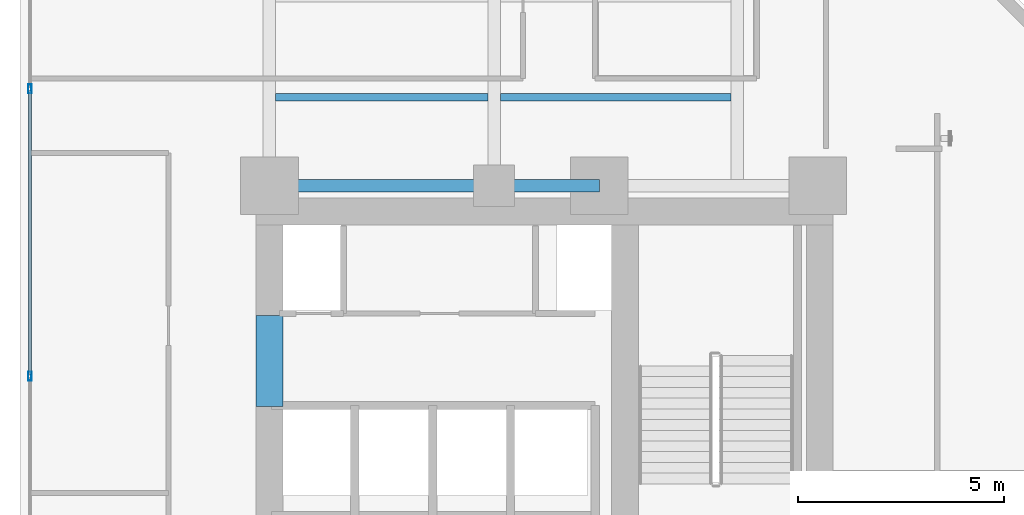
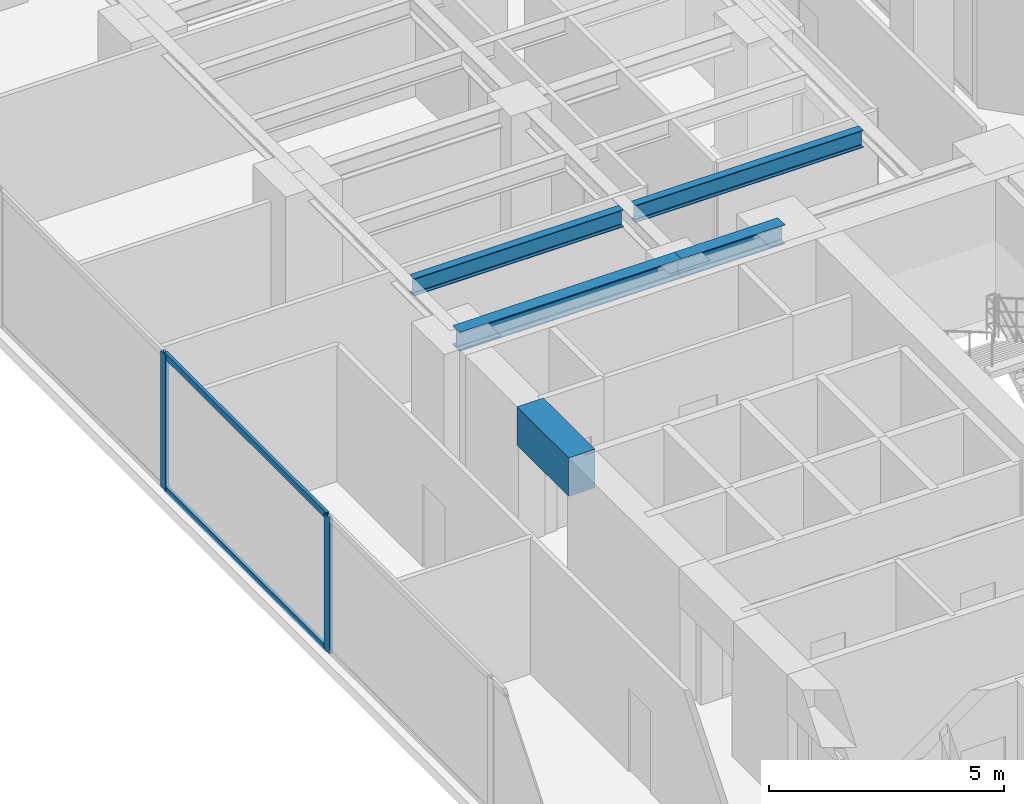
# One storey, part 6 of 26: 5 beams, 4 members, 1 element without a shape of its own.
"""IFC4 building model written with IfcOpenShell, lengths in metres."""

from ifc_helpers import new_model, si_unit, direction, frame, origin, origin_with_axes, origin_2d, place, context, subcontext, project, spatial, rectangle, hollow_rectangle, i_section, extrude, source, transform, mapped, material, layer, layer_set, material_profile, profile_set, type_object, element, aggregate, save


model = new_model("IFC4")

# Units and contexts
model_context = context("Model", 3, precision=1e-05, world=origin(), true_north=direction((0.0, 1.0)))
body_context = subcontext(model_context, "Body", "Model", "MODEL_VIEW")
ifc_project = project(units=[si_unit("LENGTHUNIT", "METRE"), si_unit("AREAUNIT", "SQUARE_METRE"), si_unit("VOLUMEUNIT", "CUBIC_METRE"), si_unit("PLANEANGLEUNIT", "RADIAN"), si_unit("MASSUNIT", "GRAM", prefix="KILO")], contexts=[model_context])

# Site, building, storey
site_placement = place(None, origin())
site = spatial("IfcSite", under=ifc_project, at=site_placement, CompositionType="ELEMENT")
building_placement = place(site_placement, origin())
building = spatial("IfcBuilding", under=site, at=building_placement, Name="Kolvaren Waterfront Exchange", CompositionType="ELEMENT")
storey_placement = place(building_placement, frame((0.0, 0.0, 125.89990234375)))
storey = spatial("IfcBuildingStorey", under=building, at=storey_placement, Name="L32", CompositionType="ELEMENT", Elevation=125.89990234375)

# Beams
ifc_material_1 = material(Name="Steel S355", Category="steel")
ifc_material_profile_1 = material_profile(ifc_material_1, i_section(OverallWidth=0.300048828125, OverallDepth=0.5, WebThickness=0.014404296875, FlangeThickness=0.028076171875, FilletRadius=0.027099609375, at=origin_2d()), Name="HEB500")
ifc_profile_set_1 = profile_set([ifc_material_profile_1], Name="Steel S355")
beam_type_1 = type_object("IfcBeamType", Name="STR-BM-HEB500", PredefinedType="BEAM", material=ifc_profile_set_1)
beam_1_placement = place(storey_placement, frame((7.449951171875, 24.449951171875, 3.2900390625), z_axis=(1.0, 0.0, 0.0), x_axis=(0.0, 1.0, 0.0)))
element("IfcBeam", 1, at=beam_1_placement, inside=storey, type_object=beam_type_1, Name="L32 north-arm girder 1A", PredefinedType="BEAM", context=body_context, shape_type="SweptSolid", body=[
    extrude(i_section(OverallWidth=0.300048828125, OverallDepth=0.5, WebThickness=0.014404296875, FlangeThickness=0.028076171875, FilletRadius=0.027099609375, at=origin_2d()), origin(), (0.0, 0.0, 1.0), 5.449951171875),
])
beam_2_placement = place(storey_placement, frame((12.89990234375, 24.449951171875, 3.2900390625), z_axis=(1.0, 0.0, 0.0), x_axis=(0.0, 1.0, 0.0)))
element("IfcBeam", 2, at=beam_2_placement, inside=storey, type_object=beam_type_1, Name="L32 north-arm girder 1B", PredefinedType="BEAM", context=body_context, shape_type="SweptSolid", body=[
    extrude(i_section(OverallWidth=0.300048828125, OverallDepth=0.5, WebThickness=0.014404296875, FlangeThickness=0.028076171875, FilletRadius=0.027099609375, at=origin_2d()), origin(), (0.0, 0.0, 1.0), 2.550048828125),
])
ifc_material_profile_2 = material_profile(ifc_material_1, i_section(OverallWidth=0.18994140625, OverallDepth=0.449951171875, WebThickness=0.009521484375, FlangeThickness=0.0146484375, FilletRadius=0.02099609375, at=origin_2d()), Name="IPE450")
ifc_profile_set_2 = profile_set([ifc_material_profile_2], Name="Steel S355")
beam_type_2 = type_object("IfcBeamType", Name="STR-BM-IPE450", PredefinedType="JOIST", material=ifc_profile_set_2)
beam_3_placement = place(storey_placement, frame((7.60205078125, 26.60009765625, 3.315185546875), z_axis=(1.0, 0.0, 0.0), x_axis=(0.0, 1.0, 0.0)))
element("IfcBeam", 3, at=beam_3_placement, inside=storey, type_object=beam_type_2, Name="L32 north-arm composite joist 1A", PredefinedType="JOIST", context=body_context, shape_type="SweptSolid", body=[
    extrude(i_section(OverallWidth=0.18994140625, OverallDepth=0.449951171875, WebThickness=0.009521484375, FlangeThickness=0.0146484375, FilletRadius=0.02099609375, at=origin_2d()), origin(), (0.0, 0.0, 1.0), 5.14599609375),
])
beam_4_placement = place(storey_placement, frame((13.052001953125, 26.60009765625, 3.315185546875), z_axis=(1.0, 0.0, 0.0), x_axis=(0.0, 1.0, 0.0)))
element("IfcBeam", 4, at=beam_4_placement, inside=storey, type_object=beam_type_2, Name="L32 north-arm composite joist 1B", PredefinedType="JOIST", context=body_context, shape_type="SweptSolid", body=[
    extrude(i_section(OverallWidth=0.18994140625, OverallDepth=0.449951171875, WebThickness=0.009521484375, FlangeThickness=0.0146484375, FilletRadius=0.02099609375, at=origin_2d()), origin(), (0.0, 0.0, 1.0), 5.595947265625),
])
ifc_material_2 = material(Name="Concrete C60/75", Category="concrete")
ifc_material_profile_3 = material_profile(ifc_material_2, rectangle(XDim=0.64990234375, YDim=1.0, at=origin_2d()), Name="RC-CB-1000x650")
ifc_profile_set_3 = profile_set([ifc_material_profile_3], Name="Concrete C60/75")
beam_type_3 = type_object("IfcBeamType", Name="STR-CB-1000", PredefinedType="SPANDREL", material=ifc_profile_set_3)
beam_5_placement = place(storey_placement, frame((7.449951171875, 19.10009765625, 3.0400390625), z_axis=(0.0, 1.0, 0.0), x_axis=(-1.0, 0.0, 0.0)))
element("IfcBeam", 5, at=beam_5_placement, inside=storey, type_object=beam_type_3, Name="L32 core coupling beam 5", PredefinedType="SPANDREL", context=body_context, shape_type="SweptSolid", body=[
    extrude(rectangle(XDim=0.64990234375, YDim=1.0, at=origin_2d()), origin(), (0.0, 0.0, 1.0), 2.199951171875),
])

# Curtain wall, members
ifc_material_3 = material(Name="Anodised aluminium 6063-T6", Category="aluminium")
ifc_layer = layer(ifc_material_3, 0.219970703125, Name="Anodised aluminium 6063-T6")
ifc_layer_set = layer_set([ifc_layer], Name="Anodised aluminium 6063-T6")
curtain_wall_type = type_object("IfcCurtainWallType", Name="ARC-CW-SYS2", PredefinedType="USERDEFINED", material=ifc_layer_set)
curtain_wall_placement = place(storey_placement, origin())
curtain_wall = element("IfcCurtainWall", 6, at=curtain_wall_placement, inside=storey, type_object=curtain_wall_type, Name="L32 stick curtain wall CW2 (CW-L32-W)", ObjectType="STICK CURTAIN WALL", PredefinedType="USERDEFINED")
ifc_material_profile_4 = material_profile(ifc_material_3, hollow_rectangle(XDim=0.080078125, YDim=0.219970703125, WallThickness=0.0048828125, at=origin_2d()), Name="ALU-MUL-220x80x5")
ifc_profile_set_4 = profile_set([ifc_material_profile_4], Name="Anodised aluminium 6063-T6")
member_type_1 = type_object("IfcMemberType", Name="ARC-CWM-220", PredefinedType="MULLION", material=ifc_profile_set_4)
shared_shape_1 = source(origin_with_axes(), body_context, "Body", "SweptSolid", [
    extrude(hollow_rectangle(XDim=0.080078125, YDim=0.219970703125, WallThickness=0.0048828125, at=origin_2d()), origin(), (0.0, 0.0, 1.0), 3.5400390625),
])
member_1_placement = place(storey_placement, frame((1.639892578125, 19.833251953125, 0.0), z_axis=(0.0, 0.0, 1.0), x_axis=(-1.0, 0.0, 0.0)))
member_1 = element("IfcMember", 7, at=member_1_placement, type_object=member_type_1, Name="CW2 mullion 3", PredefinedType="MULLION", context=body_context, shape_type="MappedRepresentation", body=[
    mapped(shared_shape_1, transform((0.0, 0.0, 0.0), x_axis=(1.0, 0.0, 0.0), y_axis=(0.0, 1.0, 0.0), z_axis=(0.0, 0.0, 1.0), scale=1.0)),
])
member_2_placement = place(storey_placement, frame((1.639892578125, 26.800048828125, 0.0), z_axis=(0.0, 0.0, 1.0), x_axis=(-1.0, 0.0, 0.0)))
member_2 = element("IfcMember", 8, at=member_2_placement, type_object=member_type_1, Name="CW2 mullion 4", PredefinedType="MULLION", context=body_context, shape_type="MappedRepresentation", body=[
    mapped(shared_shape_1, transform((0.0, 0.0, 0.0), x_axis=(1.0, 0.0, 0.0), y_axis=(0.0, 1.0, 0.0), z_axis=(0.0, 0.0, 1.0), scale=1.0)),
])
ifc_material_profile_5 = material_profile(ifc_material_3, hollow_rectangle(XDim=0.074951171875, YDim=0.159912109375, WallThickness=0.00439453125, at=origin_2d()), Name="ALU-TRN-160x75x4.5")
ifc_profile_set_5 = profile_set([ifc_material_profile_5], Name="Anodised aluminium 6063-T6")
member_type_2 = type_object("IfcMemberType", Name="ARC-CWT-160", PredefinedType="USERDEFINED", material=ifc_profile_set_5)
shared_shape_2 = source(origin_with_axes(), body_context, "Body", "SweptSolid", [
    extrude(hollow_rectangle(XDim=0.074951171875, YDim=0.159912109375, WallThickness=0.00439453125, at=origin_2d()), origin(), (0.0, 0.0, 1.0), 6.88671875),
])
member_3_placement = place(storey_placement, frame((1.639892578125, 19.873291015625, 0.03759765625), z_axis=(0.0, 1.0, 0.0), x_axis=(-1.0, 0.0, 0.0)))
member_3 = element("IfcMember", 9, at=member_3_placement, type_object=member_type_2, Name="CW2 transom 3.1", ObjectType="TRANSOM", PredefinedType="USERDEFINED", context=body_context, shape_type="MappedRepresentation", body=[
    mapped(shared_shape_2, transform((0.0, 0.0, 0.0), x_axis=(1.0, 0.0, 0.0), y_axis=(0.0, 1.0, 0.0), z_axis=(0.0, 0.0, 1.0), scale=1.0)),
])
member_4_placement = place(storey_placement, frame((1.639892578125, 19.873291015625, 3.502685546875), z_axis=(0.0, 1.0, 0.0), x_axis=(-1.0, 0.0, 0.0)))
member_4 = element("IfcMember", 10, at=member_4_placement, type_object=member_type_2, Name="CW2 transom 3.2", ObjectType="TRANSOM", PredefinedType="USERDEFINED", context=body_context, shape_type="MappedRepresentation", body=[
    mapped(shared_shape_2, transform((0.0, 0.0, 0.0), x_axis=(1.0, 0.0, 0.0), y_axis=(0.0, 1.0, 0.0), z_axis=(0.0, 0.0, 1.0), scale=1.0)),
])
aggregate(curtain_wall, [member_1, member_2, member_3, member_4])

save(model, "model.ifc")
